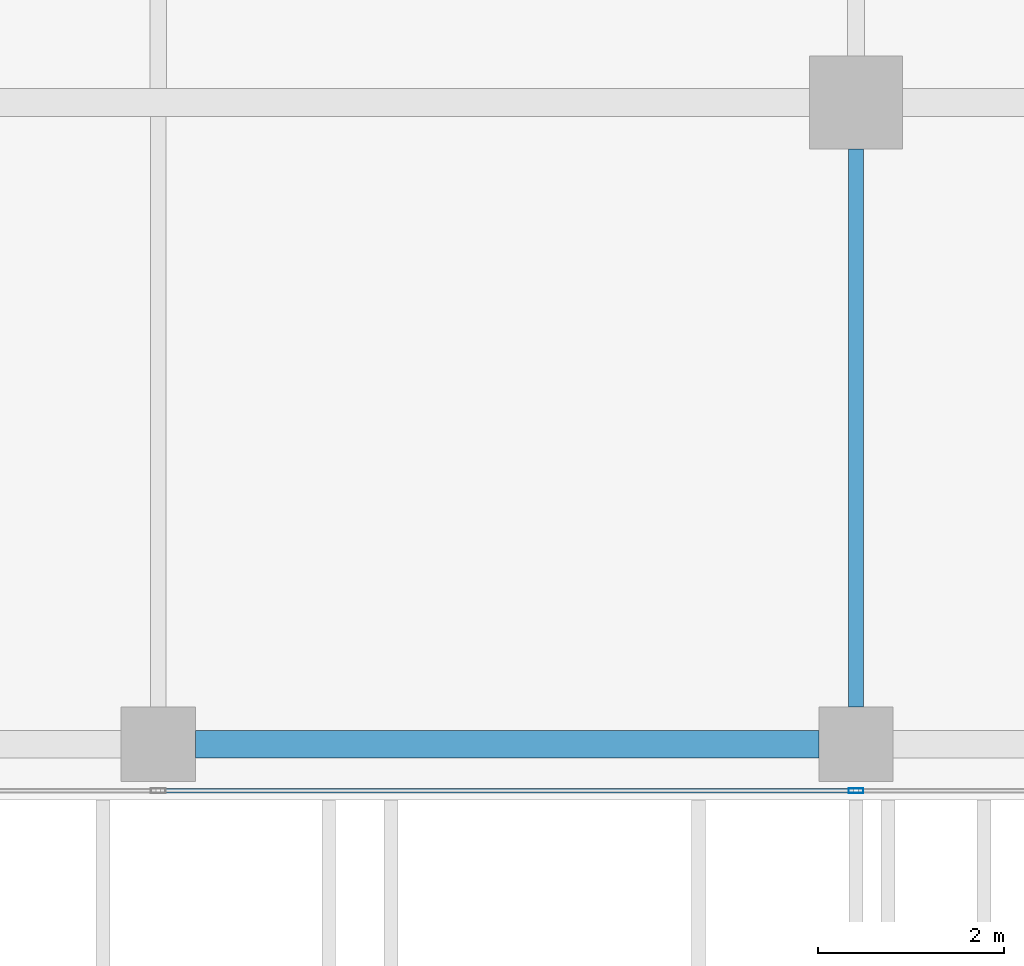
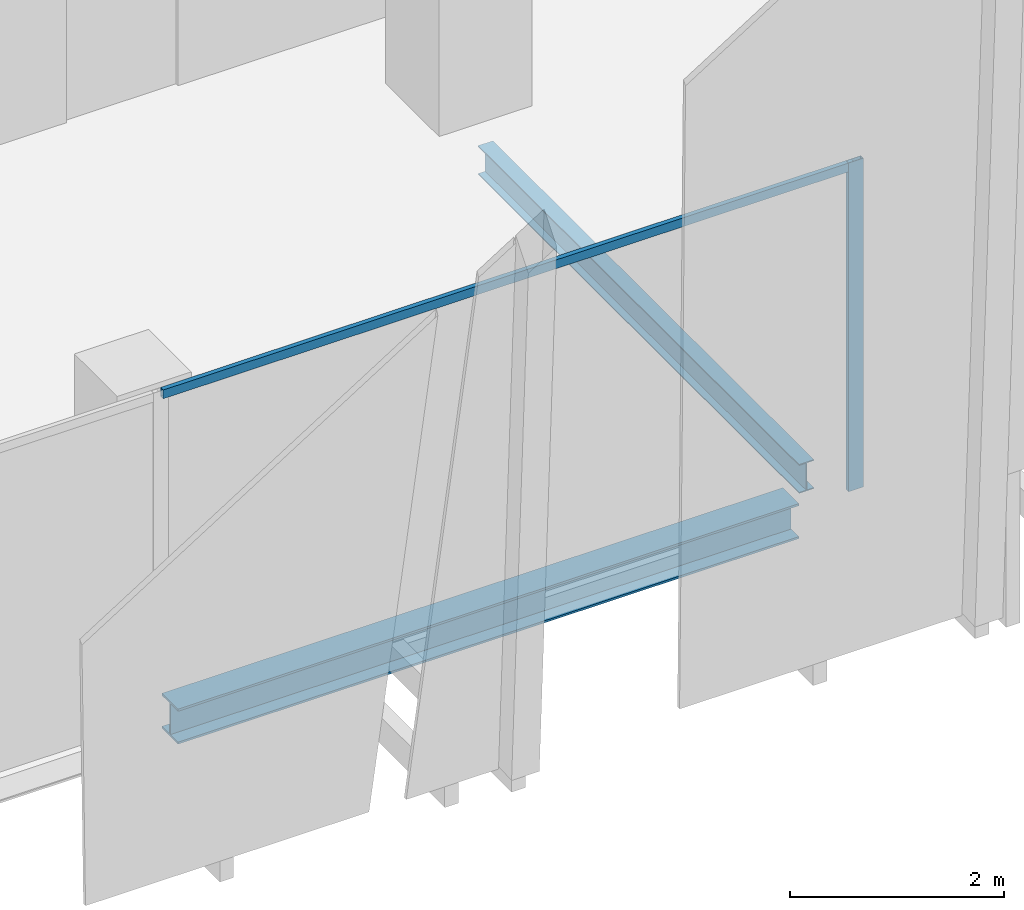
# One storey, part 5 of 32: 2 beams, 2 members, 1 element without a shape of its own.
"""IFC4 building model written with IfcOpenShell, lengths in metres."""

import ifcopenshell
import ifcopenshell.guid

model = None  # the IFC model being written
_history = None  # IfcOwnerHistory: only IFC2X3 demands one
_inside = {}  # id of a spatial element -> (the spatial element, [elements in it])
_under = {}  # id of a project, library or spatial element -> (it, [spatial elements below it])
_declared = {}  # id of a project -> (the project, [libraries it declares])
_typed = {}  # id of a type object -> (the type object, [elements of that type])
_made_of = {}  # id of a material, layer set ... -> (it, [elements and type objects made of it])


def new_model(schema):
    """Start an empty IFC model of exactly this schema.

    Asked for "IFC4X3", IfcOpenShell would pick the latest addendum, in which some entities
    have other attributes; the version numbers below select the first issue.
    IFC2X3 requires an IfcOwnerHistory on every rooted entity: one is made here for all.
    """
    global model, _history
    if schema == "IFC4X3":
        model = ifcopenshell.file(schema_version=(4, 3, 0, 0))
    else:
        model = ifcopenshell.file(schema=schema)
    _inside.clear()
    _under.clear()
    _declared.clear()
    _typed.clear()
    _made_of.clear()
    _history = None
    if model.schema == "IFC2X3":
        org = make("IfcOrganization", Name="unknown")
        user = make(
            "IfcPersonAndOrganization",
            ThePerson=make("IfcPerson", FamilyName="unknown"),
            TheOrganization=org,
        )
        app = make(
            "IfcApplication",
            ApplicationDeveloper=org,
            Version="unknown",
            ApplicationFullName="unknown",
            ApplicationIdentifier="unknown",
        )
        _history = make(
            "IfcOwnerHistory",
            OwningUser=user,
            OwningApplication=app,
            ChangeAction="ADDED",
            CreationDate=0,
        )
    return model


def make(cls, **values):
    """One entity of the class cls with the attributes given. An attribute that is None is left unset."""
    return model.create_entity(
        cls, **{name: value for name, value in values.items() if value is not None}
    )


def rooted(cls, **values):
    """An entity with a GlobalId (a new one), such as an element, a storey or a relation."""
    return make(cls, GlobalId=ifcopenshell.guid.new(), OwnerHistory=_history, **values)


def si_unit(unit_type, name, prefix=None):
    """IfcSIUnit, for example si_unit("LENGTHUNIT", "METRE", prefix="MILLI")."""
    return make("IfcSIUnit", UnitType=unit_type, Prefix=prefix, Name=name)


def assignment(units):
    """IfcUnitAssignment: the units of a project."""
    return None if units is None else make("IfcUnitAssignment", Units=units)


def point(xyz):
    """IfcCartesianPoint."""
    return None if xyz is None else make("IfcCartesianPoint", Coordinates=xyz)


def direction(xyz):
    """IfcDirection."""
    return None if xyz is None else make("IfcDirection", DirectionRatios=xyz)


def frame(location, z_axis=None, x_axis=None):
    """IfcAxis2Placement3D, a coordinate frame: its origin and axes. An axis left out is left unset."""
    return make(
        "IfcAxis2Placement3D",
        Location=point(location),
        Axis=direction(z_axis),
        RefDirection=direction(x_axis),
    )


def frame_2d(location, x_axis=None):
    """IfcAxis2Placement2D, a coordinate frame in the plane: its origin and x axis."""
    return make(
        "IfcAxis2Placement2D", Location=point(location), RefDirection=direction(x_axis)
    )


def origin():
    """The frame at (0, 0, 0) with its axes left unset."""
    return frame((0.0, 0.0, 0.0))


def origin_2d():
    """The frame at (0, 0) in the plane with its x axis left unset."""
    return frame_2d((0.0, 0.0))


def place(relative_to, where):
    """IfcLocalPlacement: puts the frame where relative to a parent placement (None: the world)."""
    return make(
        "IfcLocalPlacement", PlacementRelTo=relative_to, RelativePlacement=where
    )


def context(
    kind, dimensions, precision=None, world=None, true_north=None, identifier=None
):
    """IfcGeometricRepresentationContext, for example the 3D "Model" context."""
    return make(
        "IfcGeometricRepresentationContext",
        ContextIdentifier=identifier,
        ContextType=kind,
        CoordinateSpaceDimension=dimensions,
        Precision=precision,
        WorldCoordinateSystem=world,
        TrueNorth=true_north,
    )


def subcontext(parent, identifier, kind, view, scale=None):
    """IfcGeometricRepresentationSubContext, for example "Body" below "Model"."""
    return make(
        "IfcGeometricRepresentationSubContext",
        ContextIdentifier=identifier,
        ContextType=kind,
        ParentContext=parent,
        TargetScale=scale,
        TargetView=view,
    )


def project(units=None, contexts=None):
    """IfcProject with its units and contexts."""
    return rooted(
        "IfcProject",
        Name="project",
        RepresentationContexts=contexts,
        UnitsInContext=assignment(units),
    )


def spatial(cls, under=None, at=None, **own):
    """A site, building, storey or space (cls), placed at a placement, below another one or the project."""
    s = rooted(cls, ObjectPlacement=at, **own)
    if under is not None:
        _under.setdefault(under.id(), (under, []))[1].append(s)
    return s


def profile(cls, at=None, kind="AREA", **sizes):
    """A parametric profile (cls). Its sizes go by their IFC names, for example OverallWidth=200.0."""
    return make(cls, ProfileType=kind, Position=at, **sizes)


def hollow_rectangle(**sizes):
    """IfcRectangleHollowProfileDef."""
    return profile("IfcRectangleHollowProfileDef", **sizes)


def i_section(**sizes):
    """IfcIShapeProfileDef."""
    return profile("IfcIShapeProfileDef", **sizes)


def extrude(swept, where, along, depth):
    """IfcExtrudedAreaSolid: the profile swept, set in the frame where, extruded along a direction by depth."""
    return make(
        "IfcExtrudedAreaSolid",
        SweptArea=swept,
        Position=where,
        ExtrudedDirection=direction(along),
        Depth=depth,
    )


def shape(context_of_items, identifier, shape_type, items):
    """IfcShapeRepresentation: the items that make up one representation, for example the "Body"."""
    return make(
        "IfcShapeRepresentation",
        ContextOfItems=context_of_items,
        RepresentationIdentifier=identifier,
        RepresentationType=shape_type,
        Items=items,
    )


def source(mapping_origin, context_of_items, identifier, shape_type, items):
    """IfcRepresentationMap: a shape defined once, which mapped items show again and again."""
    return make(
        "IfcRepresentationMap",
        MappingOrigin=mapping_origin,
        MappedRepresentation=shape(context_of_items, identifier, shape_type, items),
    )


def transform(
    local_origin,
    x_axis=None,
    y_axis=None,
    z_axis=None,
    scale=None,
    scale2=None,
    scale3=None,
    uniform=True,
):
    """IfcCartesianTransformationOperator3D, or its non-uniform kind. x_axis, y_axis, z_axis: its Axis1, 2, 3."""
    if uniform:
        return make(
            "IfcCartesianTransformationOperator3D",
            Axis1=direction(x_axis),
            Axis2=direction(y_axis),
            LocalOrigin=point(local_origin),
            Scale=scale,
            Axis3=direction(z_axis),
        )
    return make(
        "IfcCartesianTransformationOperator3DnonUniform",
        Axis1=direction(x_axis),
        Axis2=direction(y_axis),
        LocalOrigin=point(local_origin),
        Scale=scale,
        Axis3=direction(z_axis),
        Scale2=scale2,
        Scale3=scale3,
    )


def mapped(mapping_source, mapping_target):
    """IfcMappedItem: shows the shape of a source again, moved by a transform."""
    return make(
        "IfcMappedItem", MappingSource=mapping_source, MappingTarget=mapping_target
    )


def material(Name=None, Category=None):
    """IfcMaterial."""
    return make("IfcMaterial", Name=Name, Category=Category)


def material_profile(
    of_material, cross_section, Name=None, Category=None, Priority=None
):
    """IfcMaterialProfile: a cross section and its material."""
    return make(
        "IfcMaterialProfile",
        Name=Name,
        Material=of_material,
        Profile=cross_section,
        Priority=Priority,
        Category=Category,
    )


def profile_set(profiles, Name=None, composite=None):
    """IfcMaterialProfileSet."""
    return make(
        "IfcMaterialProfileSet",
        Name=Name,
        MaterialProfiles=profiles,
        CompositeProfile=composite,
    )


def made_of(thing, what):
    """Note that an element or type object is made of a material, layer set ...; save() writes the relation."""
    if what is not None:
        _made_of.setdefault(what.id(), (what, []))[1].append(thing)
    return thing


def type_object(cls, material=None, **own):
    """A type object (cls), such as IfcWallType, which elements share."""
    return made_of(rooted(cls, **own), material)


def element(
    cls,
    number,
    at=None,
    inside=None,
    cuts=None,
    type_object=None,
    material=None,
    context=None,
    identifier="Body",
    shape_type=None,
    held_by="IfcProductDefinitionShape",
    body=None,
    shapes=None,
    **own,
):
    """One element of the class cls, such as IfcWall. Its Tag is "e" and its number.

    at: its placement. inside: the storey or other place that contains it. cuts: it is an
    opening in that element (IfcRelVoidsElement). A single representation is given by context,
    identifier, shape_type and body (its items); several are given by shapes. held_by: the class
    of the entity that holds the representations. save() writes the other relations.
    """
    e = rooted(cls, Tag="e%d" % number, ObjectPlacement=at, **own)
    if body is not None:
        shapes = [shape(context, identifier, shape_type, body)]
    if shapes is not None:
        e.Representation = make(held_by, Representations=shapes)
    if inside is not None:
        _inside.setdefault(inside.id(), (inside, []))[1].append(e)
    if cuts is not None:
        rooted(
            "IfcRelVoidsElement", RelatingBuildingElement=cuts, RelatedOpeningElement=e
        )
    if type_object is not None:
        _typed.setdefault(type_object.id(), (type_object, []))[1].append(e)
    return made_of(e, material)


def aggregate(whole, parts):
    """IfcRelAggregates: a whole, such as a stair, and the parts it consists of."""
    return rooted("IfcRelAggregates", RelatingObject=whole, RelatedObjects=parts)


def save(model, path):
    """Write the relations noted so far, then the file.

    IfcRelAggregates (storeys below a building ...), IfcRelContainedInSpatialStructure (elements
    in a storey), IfcRelDefinesByType, IfcRelAssociatesMaterial and IfcRelDeclares: one each for
    every whole, place, type object, material and project.
    """
    for whole, parts in _under.values():
        aggregate(whole, parts)
    for where, things in _inside.values():
        rooted(
            "IfcRelContainedInSpatialStructure",
            RelatedElements=things,
            RelatingStructure=where,
        )
    for kind, things in _typed.values():
        rooted("IfcRelDefinesByType", RelatedObjects=things, RelatingType=kind)
    for what, things in _made_of.values():
        rooted("IfcRelAssociatesMaterial", RelatedObjects=things, RelatingMaterial=what)
    for by, libraries in _declared.values():
        rooted("IfcRelDeclares", RelatingContext=by, RelatedDefinitions=libraries)
    model.write(path)


model = new_model("IFC4")

# Units and contexts
model_context = context("Model", 3, precision=1e-05, world=origin(), true_north=direction((0.0, 1.0)))
body_context = subcontext(model_context, "Body", "Model", "MODEL_VIEW")
ifc_project = project(units=[si_unit("LENGTHUNIT", "METRE"), si_unit("AREAUNIT", "SQUARE_METRE"), si_unit("VOLUMEUNIT", "CUBIC_METRE"), si_unit("PLANEANGLEUNIT", "RADIAN"), si_unit("MASSUNIT", "GRAM", prefix="KILO")], contexts=[model_context])

# Site, building, storey
site_placement = place(None, origin())
site = spatial("IfcSite", under=ifc_project, at=site_placement, CompositionType="ELEMENT")
building_placement = place(site_placement, origin())
building = spatial("IfcBuilding", under=site, at=building_placement, Name="Khomas Fold Tower", CompositionType="ELEMENT")
storey_placement = place(building_placement, frame((0.0, 0.0, 306.199951171875)))
storey = spatial("IfcBuildingStorey", under=building, at=storey_placement, Name="L69", CompositionType="ELEMENT", Elevation=306.199951171875)

# Beams
ifc_material_1 = material(Name="Steel S355", Category="steel")
ifc_material_profile_1 = material_profile(ifc_material_1, i_section(OverallWidth=0.300048828125, OverallDepth=0.39990234375, WebThickness=0.013427734375, FlangeThickness=0.02392578125, at=origin_2d()), Name="HE 400 B")
ifc_profile_set_1 = profile_set([ifc_material_profile_1], Name="Steel S355")
beam_type_1 = type_object("IfcBeamType", Name="HE 400 B spandrel SB5", PredefinedType="SPANDREL", material=ifc_profile_set_1)
shared_shape_1 = source(origin(), body_context, "Body", "SweptSolid", [
    extrude(i_section(OverallWidth=0.300048828125, OverallDepth=0.39990234375, WebThickness=0.013427734375, FlangeThickness=0.02392578125, at=origin_2d()), origin(), (0.0, 0.0, 1.0), 6.7001953125),
])
beam_1_placement = place(storey_placement, frame((27.39990234375, 6.60009765625, -0.449951171875), z_axis=(1.0, 0.0, 0.0), x_axis=(0.0, 1.0, 0.0)))
element("IfcBeam", 1, at=beam_1_placement, inside=storey, type_object=beam_type_1, Name="SB5", PredefinedType="SPANDREL", context=body_context, shape_type="MappedRepresentation", body=[
    mapped(shared_shape_1, transform((0.0, 0.0, 0.0))),
])
ifc_material_2 = material(Name="Steel S355", Category="steel")
ifc_material_profile_2 = material_profile(ifc_material_2, i_section(OverallWidth=0.159912109375, OverallDepth=0.330078125, WebThickness=0.007568359375, FlangeThickness=0.011474609375, at=origin_2d()), Name="IPE 330")
ifc_profile_set_2 = profile_set([ifc_material_profile_2], Name="Steel S355")
beam_type_2 = type_object("IfcBeamType", Name="IPE 330 beam JB1", PredefinedType="BEAM", material=ifc_profile_set_2)
shared_shape_2 = source(origin(), body_context, "Body", "SweptSolid", [
    extrude(i_section(OverallWidth=0.159912109375, OverallDepth=0.330078125, WebThickness=0.007568359375, FlangeThickness=0.011474609375, at=origin_2d()), origin(), (0.0, 0.0, 1.0), 6.0),
])
beam_2_placement = place(storey_placement, frame((34.5, 7.0, -0.4150390625), z_axis=(0.0, 1.0, 0.0), x_axis=(-1.0, 0.0, 0.0)))
element("IfcBeam", 2, at=beam_2_placement, inside=storey, type_object=beam_type_2, Name="JB1", PredefinedType="BEAM", context=body_context, shape_type="MappedRepresentation", body=[
    mapped(shared_shape_2, transform((0.0, 0.0, 0.0))),
])

# Curtain wall, members
ifc_material_3 = material(Name="Aluminium framed double glazing", Category="aluminium")
curtain_wall_type = type_object("IfcCurtainWallType", Name="SK-Unitised clear-glass wall, upper floors CW3", PredefinedType="NOTDEFINED", material=ifc_material_3)
curtain_wall_placement = place(storey_placement, origin())
curtain_wall = element("IfcCurtainWall", 3, at=curtain_wall_placement, inside=storey, type_object=curtain_wall_type, Name="CW3 run L69 00-0", PredefinedType="NOTDEFINED")
ifc_material_4 = material(Name="Aluminium", Category="aluminium")
ifc_material_profile_3 = material_profile(ifc_material_4, hollow_rectangle(XDim=0.050048828125, YDim=0.159912109375, WallThickness=0.00390625, at=origin_2d()), Name="SK-Unitised clear-glass wall, upper floors mullion CW3-M")
ifc_profile_set_3 = profile_set([ifc_material_profile_3], Name="Aluminium")
member_type_1 = type_object("IfcMemberType", Name="SK-Unitised clear-glass wall, upper floors mullion CW3-M", PredefinedType="MULLION", material=ifc_profile_set_3)
shared_shape_3 = source(origin(), body_context, "Body", "SweptSolid", [
    extrude(hollow_rectangle(XDim=0.050048828125, YDim=0.159912109375, WallThickness=0.00390625, at=origin_2d()), origin(), (0.0, 0.0, 1.0), 3.75),
])
member_1_placement = place(storey_placement, frame((34.5, 6.10009765625, 0.0), z_axis=(0.0, 0.0, 1.0), x_axis=(0.0, 1.0, 0.0)))
member_1 = element("IfcMember", 4, at=member_1_placement, type_object=member_type_1, Name="CW3 mullion 5", PredefinedType="MULLION", context=body_context, shape_type="MappedRepresentation", body=[
    mapped(shared_shape_3, transform((0.0, 0.0, 0.0))),
])
ifc_material_5 = material(Name="Aluminium", Category="aluminium")
ifc_material_profile_4 = material_profile(ifc_material_5, hollow_rectangle(XDim=0.050048828125, YDim=0.10009765625, WallThickness=0.00390625, at=origin_2d()), Name="SK-Unitised clear-glass wall, upper floors transom CW3-T")
ifc_profile_set_4 = profile_set([ifc_material_profile_4], Name="Aluminium")
member_type_2 = type_object("IfcMemberType", Name="SK-Unitised clear-glass wall, upper floors transom CW3-T", PredefinedType="USERDEFINED", material=ifc_profile_set_4)
shared_shape_4 = source(origin(), body_context, "Body", "SweptSolid", [
    extrude(hollow_rectangle(XDim=0.050048828125, YDim=0.10009765625, WallThickness=0.00390625, at=origin_2d()), origin(), (0.0, 0.0, 1.0), 7.4501953125),
])
member_2_placement = place(storey_placement, frame((27.02490234375, 6.10009765625, 3.699951171875), z_axis=(1.0, 0.0, 0.0), x_axis=(0.0, 1.0, 0.0)))
member_2 = element("IfcMember", 5, at=member_2_placement, type_object=member_type_2, Name="CW3 transom 4", ObjectType="TRANSOM", PredefinedType="USERDEFINED", context=body_context, shape_type="MappedRepresentation", body=[
    mapped(shared_shape_4, transform((0.0, 0.0, 0.0))),
])
aggregate(curtain_wall, [member_1, member_2])

save(model, "model.ifc")
